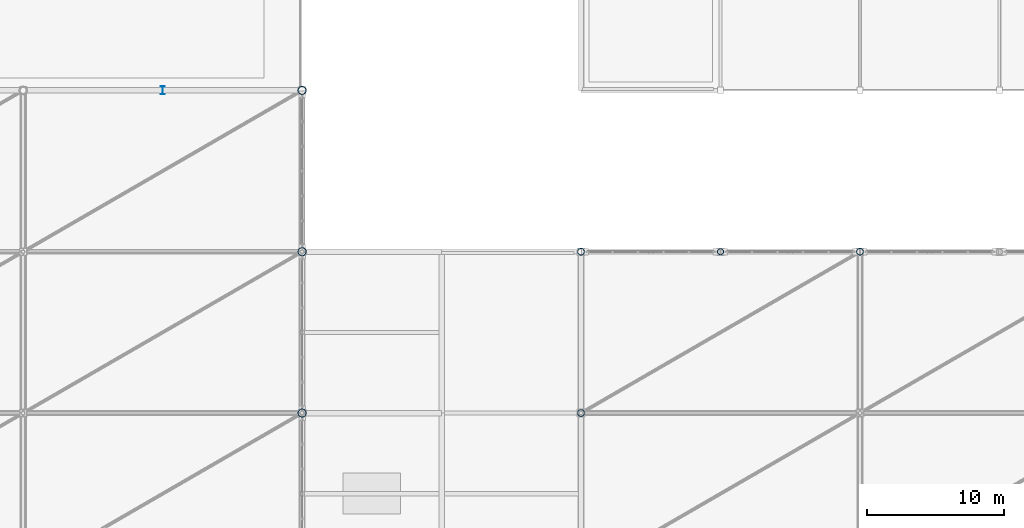
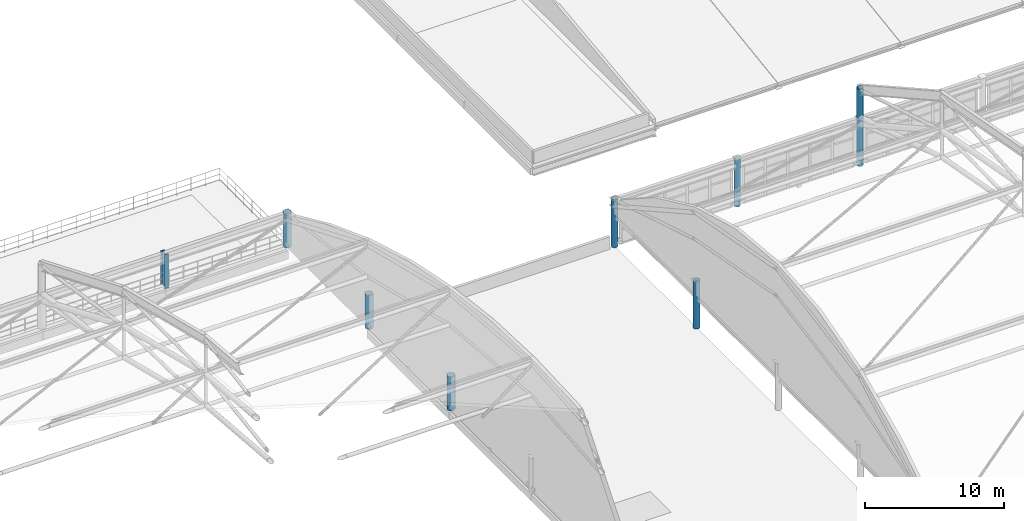
# One storey, part 12 of 135: 9 columns.
"""IFC4 building model written with IfcOpenShell, lengths in metres."""

from ifc_helpers import new_model, si_unit, direction, frame, origin, origin_2d, place, context, subcontext, project, spatial, hollow_circle, i_section, extrude, material, material_profile, profile_set, type_object, element, save


model = new_model("IFC4")

# Units and contexts
model_context = context("Model", 3, precision=1e-05, world=origin(), true_north=direction((0.0, 1.0)))
body_context = subcontext(model_context, "Body", "Model", "MODEL_VIEW")
ifc_project = project(units=[si_unit("LENGTHUNIT", "METRE"), si_unit("AREAUNIT", "SQUARE_METRE"), si_unit("VOLUMEUNIT", "CUBIC_METRE"), si_unit("PLANEANGLEUNIT", "RADIAN"), si_unit("MASSUNIT", "GRAM", prefix="KILO")], contexts=[model_context])

# Site, building, storey
site_placement = place(None, origin())
site = spatial("IfcSite", under=ifc_project, at=site_placement, CompositionType="ELEMENT")
building_placement = place(site_placement, origin())
building = spatial("IfcBuilding", under=site, at=building_placement, Name="Brelvane Convention Centre", CompositionType="ELEMENT")
storey_placement = place(building_placement, frame((0.0, 0.0, 15.0)))
storey = spatial("IfcBuildingStorey", under=building, at=storey_placement, Name="L03", CompositionType="ELEMENT", Elevation=15.0)

# Columns
ifc_material_1 = material(Name="Steel E450 (450 MPa)", Category="steel")
ifc_material_profile_1 = material_profile(ifc_material_1, hollow_circle(Radius=0.304931640625, WallThickness=0.02490234375, at=origin_2d()), Name="CHS 610.0x25.0")
ifc_profile_set_1 = profile_set([ifc_material_profile_1], Name="Steel E450 (450 MPa)")
column_type_1 = type_object("IfcColumnType", Name="Steel Column C-ST1 (CHS 610.0x25.0)", PredefinedType="COLUMN", material=ifc_profile_set_1)
for number, where, z_axis, x_axis, name in (
    (1, (142.800048828125, 76.0, 0.0), (0.0, 0.0, 1.0), (1.0, 0.0, 0.0), "Column 15-H (L03)"),
    (2, (142.800048828125, 87.800048828125, 0.0), (0.0, 0.0, 1.0), (1.0, 0.0, 0.0), "Column 15-J (L03)"),
    (3, (142.800048828125, 99.60009765625, 0.0), (0.0, 0.0, 1.0), (1.0, 0.0, 0.0), "Column 15-K (L03)"),
):
    element("IfcColumn", number, at=place(storey_placement, frame(where, z_axis=z_axis, x_axis=x_axis)), inside=storey, type_object=column_type_1, Name=name, PredefinedType="COLUMN", context=body_context, shape_type="SweptSolid", body=[
        extrude(hollow_circle(Radius=0.304931640625, WallThickness=0.02490234375, at=origin_2d()), origin(), (0.0, 0.0, 1.0), 3.0),
    ])
ifc_material_2 = material(Name="Steel E450 (450 MPa)", Category="steel")
ifc_material_profile_2 = material_profile(ifc_material_2, hollow_circle(Radius=0.25390625, WallThickness=0.02001953125, at=origin_2d()), Name="CHS 508.0x20.0")
ifc_profile_set_2 = profile_set([ifc_material_profile_2], Name="Steel E450 (450 MPa)")
column_type_2 = type_object("IfcColumnType", Name="Steel Column C-ST2 (CHS 508.0x20.0)", PredefinedType="COLUMN", material=ifc_profile_set_2)
for number, where, z_axis, x_axis, name in (
    (4, (163.199951171875, 76.0, 0.0), (0.0, 0.0, 1.0), (1.0, 0.0, 0.0), "Column 17-H (L03)"),
    (5, (163.199951171875, 87.800048828125, 0.0), (0.0, 0.0, 1.0), (1.0, 0.0, 0.0), "Column 17-J (L03)"),
    (6, (183.60009765625, 87.800048828125, 0.0), (0.0, 0.0, 1.0), (1.0, 0.0, 0.0), "Column 19-J (L03)"),
):
    element("IfcColumn", number, at=place(storey_placement, frame(where, z_axis=z_axis, x_axis=x_axis)), inside=storey, type_object=column_type_2, Name=name, PredefinedType="COLUMN", context=body_context, shape_type="SweptSolid", body=[
        extrude(hollow_circle(Radius=0.25390625, WallThickness=0.02001953125, at=origin_2d()), origin(), (0.0, 0.0, 1.0), 4.199951171875),
    ])
column_1_placement = place(storey_placement, frame((183.60009765625, 87.800048828125, 4.199951171875), z_axis=(0.0, 0.0, 1.0), x_axis=(1.0, 0.0, 0.0)))
element("IfcColumn", 7, at=column_1_placement, inside=storey, type_object=column_type_2, Name="EXO_PLEN Exoskeletal Eaves Mast 2-N", PredefinedType="COLUMN", context=body_context, shape_type="SweptSolid", body=[
    extrude(hollow_circle(Radius=0.25390625, WallThickness=0.02001953125, at=origin_2d()), origin(), (0.0, 0.0, 1.0), 2.60009765625),
])
ifc_material_3 = material(Name="Steel E450 (450 MPa)", Category="steel")
ifc_material_profile_3 = material_profile(ifc_material_3, hollow_circle(Radius=0.228515625, WallThickness=0.02001953125, at=origin_2d()), Name="CHS 457.0x20.0")
ifc_profile_set_3 = profile_set([ifc_material_profile_3], Name="Steel E450 (450 MPa)")
column_type_3 = type_object("IfcColumnType", Name="Steel Column C-ST3 (CHS 457.0x20.0)", PredefinedType="COLUMN", material=ifc_profile_set_3)
column_2_placement = place(storey_placement, frame((173.39990234375, 87.800048828125, 0.0), z_axis=(0.0, 0.0, 1.0), x_axis=(1.0, 0.0, 0.0)))
element("IfcColumn", 8, at=column_2_placement, inside=storey, type_object=column_type_3, Name="Column 18-J (L03)", PredefinedType="COLUMN", context=body_context, shape_type="SweptSolid", body=[
    extrude(hollow_circle(Radius=0.228515625, WallThickness=0.02001953125, at=origin_2d()), origin(), (0.0, 0.0, 1.0), 4.199951171875),
])
ifc_material_4 = material(Name="Steel E450 (450 MPa)", Category="steel")
ifc_material_profile_4 = material_profile(ifc_material_4, i_section(OverallWidth=0.300048828125, OverallDepth=0.60009765625, WebThickness=0.015380859375, FlangeThickness=0.030029296875, FilletRadius=0.027099609375, at=origin_2d()), Name="WPB 600x300")
ifc_profile_set_4 = profile_set([ifc_material_profile_4], Name="Steel E450 (450 MPa)")
column_type_4 = type_object("IfcColumnType", Name="Steel Column C-ST5 (WPB 600x300)", PredefinedType="COLUMN", material=ifc_profile_set_4)
column_3_placement = place(storey_placement, frame((132.60009765625, 99.60009765625, 0.0), z_axis=(0.0, 0.0, 1.0), x_axis=(1.0, 0.0, 0.0)))
element("IfcColumn", 9, at=column_3_placement, inside=storey, type_object=column_type_4, Name="Column 14-K (L03)", PredefinedType="COLUMN", context=body_context, shape_type="SweptSolid", body=[
    extrude(i_section(OverallWidth=0.300048828125, OverallDepth=0.60009765625, WebThickness=0.015380859375, FlangeThickness=0.030029296875, FilletRadius=0.027099609375, at=origin_2d()), origin(), (0.0, 0.0, 1.0), 3.0),
])

save(model, "model.ifc")
